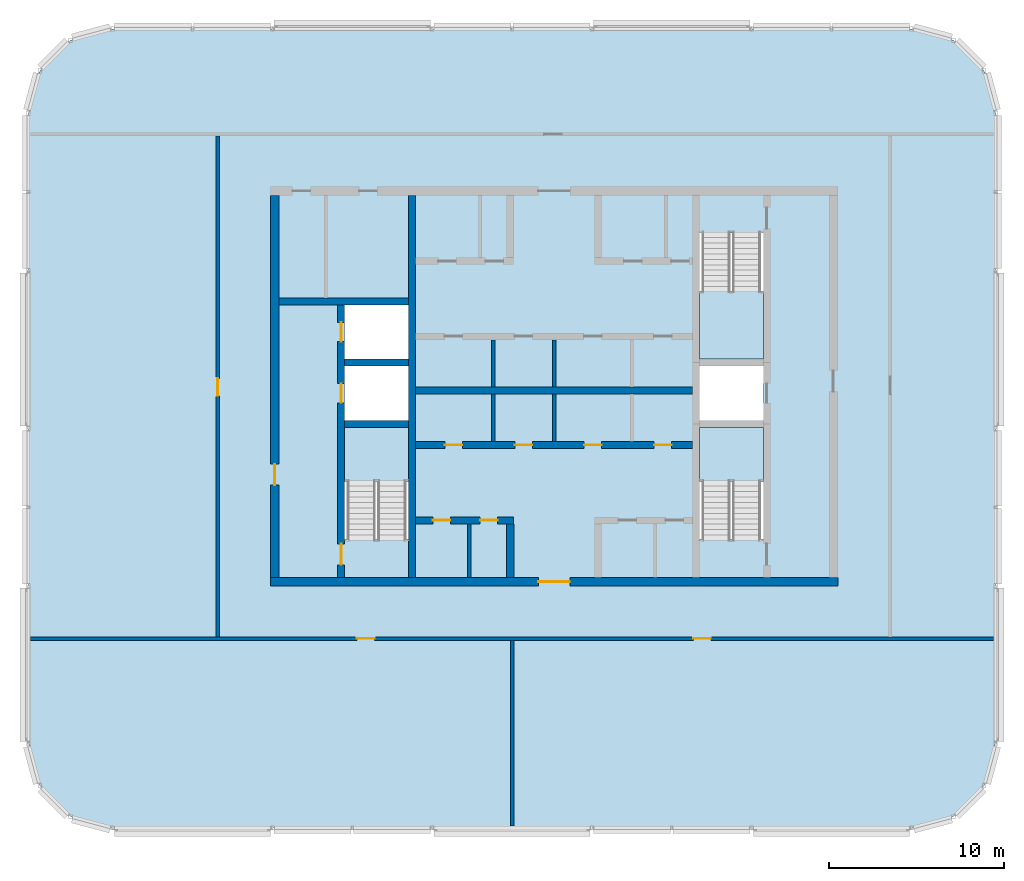
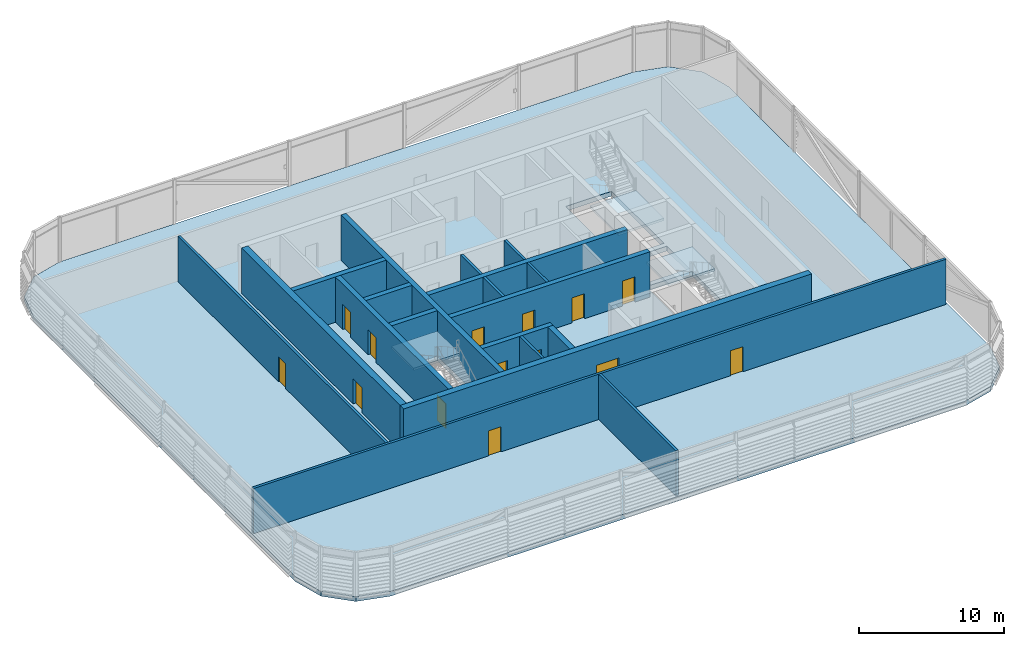
# One storey, part 15 of 28: 19 walls, 14 doors, 4 slabs, 14 openings, 3 elements without a shape of their own.
"""IFC4 building model written with IfcOpenShell, lengths in metres."""

from ifc_helpers import new_model, si_unit, direction, frame, frame_2d, origin, place, context, subcontext, project, spatial, polyline, rectangle, outline, extrude, material, layer, layer_set, type_object, element, fill, aggregate, save


model = new_model("IFC4")

# Units and contexts
model_context = context("Model", 3, precision=1e-05, world=origin(), true_north=direction((0.0, 1.0)))
body_context = subcontext(model_context, "Body", "Model", "MODEL_VIEW")
ifc_project = project(units=[si_unit("LENGTHUNIT", "METRE"), si_unit("AREAUNIT", "SQUARE_METRE"), si_unit("VOLUMEUNIT", "CUBIC_METRE"), si_unit("PLANEANGLEUNIT", "RADIAN"), si_unit("MASSUNIT", "GRAM", prefix="KILO")], contexts=[model_context])

# Site, building, storey
site_placement = place(None, origin())
site = spatial("IfcSite", under=ifc_project, at=site_placement, CompositionType="ELEMENT")
building_placement = place(site_placement, origin())
building = spatial("IfcBuilding", under=site, at=building_placement, Name="Madar Terraces", CompositionType="ELEMENT")
storey_placement = place(building_placement, frame((0.0, 0.0, 310.10009765625)))
storey = spatial("IfcBuildingStorey", under=building, at=storey_placement, Name="L80", CompositionType="ELEMENT", Elevation=310.10009765625)

# Slab
ifc_material_1 = material(Name="Concrete C50/60", Category="concrete")
ifc_layer_1 = layer(ifc_material_1, 0.39990234375)
ifc_layer_set_1 = layer_set([ifc_layer_1], Name="FS6 PT flat slab 400")
slab_type_1 = type_object("IfcSlabType", Name="FS6 PT flat slab 400", PredefinedType="FLOOR", material=ifc_layer_set_1)
slab_1_placement = place(storey_placement, frame((0.0, 0.0, -0.400146484375)))
element("IfcSlab", 1, at=slab_1_placement, inside=storey, type_object=slab_type_1, Name="Floor slab L80 (1)", PredefinedType="FLOOR", context=body_context, shape_type="SweptSolid", body=[
    extrude(outline(polyline([(51.60009765625, 1.199951171875), (54.0, 1.843017578125), (55.7568359375, 3.60009765625), (56.39990234375, 6.0), (56.39990234375, 42.0), (55.7568359375, 44.39990234375), (54.0, 46.156982421875), (51.60009765625, 46.800048828125), (6.0, 46.800048828125), (3.60009765625, 46.156982421875), (1.843017578125, 44.39990234375), (1.199951171875, 42.0), (1.199951171875, 6.0), (1.843017578125, 3.60009765625), (3.60009765625, 1.843017578125), (6.0, 1.199951171875), (51.60009765625, 1.199951171875)]), holes=[polyline([(22.89990234375, 24.050048828125), (22.89990234375, 17.64990234375), (19.25, 17.64990234375), (19.25, 24.050048828125), (22.89990234375, 24.050048828125)]), polyline([(43.14990234375, 17.64990234375), (39.5, 17.64990234375), (39.5, 24.050048828125), (43.14990234375, 24.050048828125), (43.14990234375, 17.64990234375)]), polyline([(22.89990234375, 24.449951171875), (19.25, 24.449951171875), (19.25, 27.550048828125), (22.89990234375, 27.550048828125), (22.89990234375, 24.449951171875)]), polyline([(43.14990234375, 27.550048828125), (43.14990234375, 24.449951171875), (39.5, 24.449951171875), (39.5, 27.550048828125), (43.14990234375, 27.550048828125)]), polyline([(22.89990234375, 27.949951171875), (19.25, 27.949951171875), (19.25, 31.050048828125), (22.89990234375, 31.050048828125), (22.89990234375, 27.949951171875)]), polyline([(43.14990234375, 27.949951171875), (39.5, 27.949951171875), (39.5, 35.14990234375), (43.14990234375, 35.14990234375), (43.14990234375, 27.949951171875)])]), origin(), (0.0, 0.0, 1.0), 0.400146484375),
])

# Stair, slab
ifc_material_2 = material(Name="Concrete C50/60", Category="concrete")
stair_type_1 = type_object("IfcStairType", Name="Stair ST1 protected exit", PredefinedType="HALF_TURN_STAIR", material=ifc_material_2)
stair_1_placement = place(storey_placement, origin())
stair_1 = element("IfcStair", 2, at=stair_1_placement, inside=storey, type_object=stair_type_1, Name="L80 Protected Exit Stair ST1", PredefinedType="HALF_TURN_STAIR")
ifc_material_3 = material(Name="Concrete C50/60", Category="concrete")
ifc_layer_2 = layer(ifc_material_3, 0.199951171875)
ifc_layer_set_2 = layer_set([ifc_layer_2], Name="Stair landing 200, top +2.10")
slab_type_2 = type_object("IfcSlabType", Name="Stair landing 200, top +2.10", PredefinedType="LANDING", material=ifc_layer_set_2)
slab_2_placement = place(storey_placement, frame((0.0, 0.0, 1.89990234375)))
slab_2 = element("IfcSlab", 3, at=slab_2_placement, type_object=slab_type_2, Name="ST1 landing 1", PredefinedType="LANDING", context=body_context, shape_type="SweptSolid", body=[
    extrude(outline(polyline([(19.25, 20.97998046875), (22.89990234375, 20.97998046875), (22.89990234375, 24.050048828125), (19.25, 24.050048828125), (19.25, 20.97998046875)])), origin(), (0.0, 0.0, 1.0), 0.199951171875),
])
aggregate(stair_1, [slab_2])

ifc_material_4 = material(Name="Concrete C50/60", Category="concrete")
stair_type_2 = type_object("IfcStairType", Name="Stair ST2 protected exit", PredefinedType="HALF_TURN_STAIR", material=ifc_material_4)
stair_2_placement = place(storey_placement, origin())
stair_2 = element("IfcStair", 4, at=stair_2_placement, inside=storey, type_object=stair_type_2, Name="L80 Protected Exit Stair ST2", PredefinedType="HALF_TURN_STAIR")
slab_3_placement = place(storey_placement, frame((0.0, 0.0, 1.89990234375)))
slab_3 = element("IfcSlab", 5, at=slab_3_placement, type_object=slab_type_2, Name="ST2 landing 1", PredefinedType="LANDING", context=body_context, shape_type="SweptSolid", body=[
    extrude(outline(polyline([(39.5, 27.949951171875), (43.14990234375, 27.949951171875), (43.14990234375, 31.820068359375), (39.5, 31.820068359375), (39.5, 27.949951171875)])), origin(), (0.0, 0.0, 1.0), 0.199951171875),
])
aggregate(stair_2, [slab_3])

ifc_material_5 = material(Name="Concrete C50/60", Category="concrete")
stair_type_3 = type_object("IfcStairType", Name="Stair ST3 protected exit", PredefinedType="HALF_TURN_STAIR", material=ifc_material_5)
stair_3_placement = place(storey_placement, origin())
stair_3 = element("IfcStair", 6, at=stair_3_placement, inside=storey, type_object=stair_type_3, Name="L80 Protected Exit Stair ST3", PredefinedType="HALF_TURN_STAIR")
slab_4_placement = place(storey_placement, frame((0.0, 0.0, 1.89990234375)))
slab_4 = element("IfcSlab", 7, at=slab_4_placement, type_object=slab_type_2, Name="ST3 landing 1", PredefinedType="LANDING", context=body_context, shape_type="SweptSolid", body=[
    extrude(outline(polyline([(39.5, 20.97998046875), (43.14990234375, 20.97998046875), (43.14990234375, 24.050048828125), (39.5, 24.050048828125), (39.5, 20.97998046875)])), origin(), (0.0, 0.0, 1.0), 0.199951171875),
])
aggregate(stair_3, [slab_4])

# Wall, openings, doors
ifc_material_6 = material(Name="Concrete C50/60", Category="concrete")
ifc_layer_3 = layer(ifc_material_6, 0.39990234375)
ifc_layer_set_3 = layer_set([ifc_layer_3], Name="Concrete C50/60 (CIW6 RC wall 400)")
wall_type_1 = type_object("IfcWallType", Name="CIW6 RC wall 400", PredefinedType="SHEAR", material=ifc_layer_set_3)
wall_1_placement = place(storey_placement, frame((19.050048828125, 15.5, 0.0), z_axis=(0.0, 0.0, 1.0), x_axis=(0.0, 1.0, 0.0)))
wall_1 = element("IfcWall", 8, at=wall_1_placement, inside=storey, type_object=wall_type_1, Name="CORE SHAFT WALL", PredefinedType="SHEAR", context=body_context, shape_type="SweptSolid", body=[
    extrude(rectangle(XDim=15.550048828125, YDim=0.39990234375, at=frame_2d((7.77490234375, 0.0))), origin(), (0.0, 0.0, 1.0), 3.7998046875),
])
opening_1_placement = place(wall_1_placement, frame((9.949951171875, 0.0, 0.0)))
opening_1 = element("IfcOpeningElement", 9, at=opening_1_placement, cuts=wall_1, Name="Opening LD", PredefinedType="OPENING", context=body_context, shape_type="SweptSolid", body=[
    extrude(rectangle(XDim=1.10009765625, YDim=2.10009765625, at=frame_2d((0.550048828125, 1.050048828125))), frame((0.0, 0.2099609375, 0.0), z_axis=(0.0, -1.0, 0.0), x_axis=(1.0, 0.0, 0.0)), (0.0, 0.0, 1.0), 0.419921875),
])
opening_2_placement = place(wall_1_placement, frame((13.449951171875, 0.0, 0.0)))
opening_2 = element("IfcOpeningElement", 10, at=opening_2_placement, cuts=wall_1, Name="Opening LD", PredefinedType="OPENING", context=body_context, shape_type="SweptSolid", body=[
    extrude(rectangle(XDim=1.10009765625, YDim=2.10009765625, at=frame_2d((0.550048828125, 1.050048828125))), frame((0.0, 0.2099609375, 0.0), z_axis=(0.0, -1.0, 0.0), x_axis=(1.0, 0.0, 0.0)), (0.0, 0.0, 1.0), 0.419921875),
])
opening_3_placement = place(wall_1_placement, frame((0.699951171875, 0.0, 0.0)))
opening_3 = element("IfcOpeningElement", 11, at=opening_3_placement, cuts=wall_1, Name="Opening SD1", PredefinedType="OPENING", context=body_context, shape_type="SweptSolid", body=[
    extrude(rectangle(XDim=1.199951171875, YDim=2.10009765625, at=frame_2d((0.60009765625, 1.050048828125))), frame((0.0, 0.2099609375, 0.0), z_axis=(0.0, -1.0, 0.0), x_axis=(1.0, 0.0, 0.0)), (0.0, 0.0, 1.0), 0.419921875),
])
ifc_material_7 = material(Name="Stainless steel panel", Category="steel")
door_type_1 = type_object("IfcDoorType", Name="Lift landing door 1100 x 2100", OperationType="DOUBLE_DOOR_SLIDING", PredefinedType="DOOR", material=ifc_material_7)
door_1_placement = place(opening_1_placement, origin())
door_1 = element("IfcDoor", 12, at=door_1_placement, inside=storey, type_object=door_type_1, Name="LIFT LANDING DOOR", OperationType="DOUBLE_DOOR_SLIDING", OverallHeight=2.10009765625, OverallWidth=1.10009765625, PredefinedType="DOOR", context=body_context, shape_type="SweptSolid", body=[
    extrude(rectangle(XDim=1.10009765625, YDim=2.10009765625, at=frame_2d((0.550048828125, 1.050048828125))), frame((0.0, 0.02490234375, 0.0), z_axis=(0.0, -1.0, 0.0), x_axis=(1.0, 0.0, 0.0)), (0.0, 0.0, 1.0), 0.050048828125),
])
fill(opening_1, door_1)
door_2_placement = place(opening_2_placement, origin())
door_2 = element("IfcDoor", 13, at=door_2_placement, inside=storey, type_object=door_type_1, Name="LIFT LANDING DOOR", OperationType="DOUBLE_DOOR_SLIDING", OverallHeight=2.10009765625, OverallWidth=1.10009765625, PredefinedType="DOOR", context=body_context, shape_type="SweptSolid", body=[
    extrude(rectangle(XDim=1.10009765625, YDim=2.10009765625, at=frame_2d((0.550048828125, 1.050048828125))), frame((0.0, 0.02490234375, 0.0), z_axis=(0.0, -1.0, 0.0), x_axis=(1.0, 0.0, 0.0)), (0.0, 0.0, 1.0), 0.050048828125),
])
fill(opening_2, door_2)
ifc_material_8 = material(Name="Steel door leaf", Category="steel")
door_type_2 = type_object("IfcDoorType", Name="Stair door 1200 x 2100", OperationType="NOTDEFINED", PredefinedType="DOOR", material=ifc_material_8)
door_3_placement = place(opening_3_placement, frame((1.199951171875, 0.0, 0.0), z_axis=(0.0, 0.0, 1.0), x_axis=(-1.0, 0.0, 0.0)))
door_3 = element("IfcDoor", 14, at=door_3_placement, inside=storey, type_object=door_type_2, Name="STAIR DOOR", OperationType="SINGLE_SWING_RIGHT", OverallHeight=2.10009765625, OverallWidth=1.199951171875, PredefinedType="DOOR", context=body_context, shape_type="SweptSolid", body=[
    extrude(rectangle(XDim=1.199951171875, YDim=2.10009765625, at=frame_2d((0.60009765625, 1.050048828125))), frame((0.0, 0.02490234375, 0.0), z_axis=(0.0, -1.0, 0.0), x_axis=(1.0, 0.0, 0.0)), (0.0, 0.0, 1.0), 0.050048828125),
])
fill(opening_3, door_3)

# Walls
wall_2_placement = place(storey_placement, frame((23.10009765625, 15.5, 0.0), z_axis=(0.0, 0.0, 1.0), x_axis=(0.0, 1.0, 0.0)))
element("IfcWall", 15, at=wall_2_placement, inside=storey, type_object=wall_type_1, Name="CORE SHAFT WALL", PredefinedType="SHEAR", context=body_context, shape_type="SweptSolid", body=[
    extrude(rectangle(XDim=21.800048828125, YDim=0.39990234375, at=frame_2d((10.89990234375, 0.0))), origin(), (0.0, 0.0, 1.0), 3.7998046875),
])
for number, where, z_axis, x_axis, name in (
    (16, (19.25, 24.25, 0.0), (0.0, 0.0, 1.0), (1.0, 0.0, 0.0), "CORE SHAFT WALL"),
    (17, (19.25, 27.75, 0.0), (0.0, 0.0, 1.0), (1.0, 0.0, 0.0), "CORE SHAFT WALL"),
):
    element("IfcWall", number, at=place(storey_placement, frame(where, z_axis=z_axis, x_axis=x_axis)), inside=storey, type_object=wall_type_1, Name=name, PredefinedType="SHEAR", context=body_context, shape_type="SweptSolid", body=[
        extrude(rectangle(XDim=3.64990234375, YDim=0.39990234375, at=frame_2d((1.824951171875, 0.0))), origin(), (0.0, 0.0, 1.0), 3.7998046875),
    ])
wall_3_placement = place(storey_placement, frame((15.5, 31.25, 0.0), z_axis=(0.0, 0.0, 1.0), x_axis=(1.0, 0.0, 0.0)))
element("IfcWall", 18, at=wall_3_placement, inside=storey, type_object=wall_type_1, Name="CORE SHAFT WALL", PredefinedType="SHEAR", context=body_context, shape_type="SweptSolid", body=[
    extrude(rectangle(XDim=7.39990234375, YDim=0.39990234375, at=frame_2d((3.699951171875, 0.0))), origin(), (0.0, 0.0, 1.0), 3.7998046875),
])

# Wall, openings, doors
wall_4_placement = place(storey_placement, frame((23.300048828125, 18.75, 0.0), z_axis=(0.0, 0.0, 1.0), x_axis=(1.0, 0.0, 0.0)))
wall_4 = element("IfcWall", 19, at=wall_4_placement, inside=storey, type_object=wall_type_1, Name="CORE SHAFT WALL", PredefinedType="SHEAR", context=body_context, shape_type="SweptSolid", body=[
    extrude(rectangle(XDim=5.599853515625, YDim=0.39990234375, at=frame_2d((2.7998046875, 0.0))), origin(), (0.0, 0.0, 1.0), 3.7998046875),
])
opening_4_placement = place(wall_4_placement, frame((0.98388671875, 0.0, 0.0)))
opening_4 = element("IfcOpeningElement", 20, at=opening_4_placement, cuts=wall_4, Name="Opening KD2", PredefinedType="OPENING", context=body_context, shape_type="SweptSolid", body=[
    extrude(rectangle(XDim=1.0, YDim=2.10009765625, at=frame_2d((0.5, 1.050048828125))), frame((0.0, 0.2099609375, 0.0), z_axis=(0.0, -1.0, 0.0), x_axis=(1.0, 0.0, 0.0)), (0.0, 0.0, 1.0), 0.419921875),
])
opening_5_placement = place(wall_4_placement, frame((3.68408203125, 0.0, 0.0)))
opening_5 = element("IfcOpeningElement", 21, at=opening_5_placement, cuts=wall_4, Name="Opening KD2", PredefinedType="OPENING", context=body_context, shape_type="SweptSolid", body=[
    extrude(rectangle(XDim=1.0, YDim=2.10009765625, at=frame_2d((0.5, 1.050048828125))), frame((0.0, 0.2099609375, 0.0), z_axis=(0.0, -1.0, 0.0), x_axis=(1.0, 0.0, 0.0)), (0.0, 0.0, 1.0), 0.419921875),
])
ifc_material_9 = material(Name="Steel door leaf", Category="steel")
door_type_3 = type_object("IfcDoorType", Name="Service room door 1000 x 2100", OperationType="NOTDEFINED", PredefinedType="DOOR", material=ifc_material_9)
door_4_placement = place(opening_4_placement, origin())
door_4 = element("IfcDoor", 22, at=door_4_placement, inside=storey, type_object=door_type_3, Name="SERVICE ROOM DOOR", OperationType="SINGLE_SWING_LEFT", OverallHeight=2.10009765625, OverallWidth=1.0, PredefinedType="DOOR", context=body_context, shape_type="SweptSolid", body=[
    extrude(rectangle(XDim=1.0, YDim=2.10009765625, at=frame_2d((0.5, 1.050048828125))), frame((0.0, 0.02490234375, 0.0), z_axis=(0.0, -1.0, 0.0), x_axis=(1.0, 0.0, 0.0)), (0.0, 0.0, 1.0), 0.050048828125),
])
fill(opening_4, door_4)
door_5_placement = place(opening_5_placement, origin())
door_5 = element("IfcDoor", 23, at=door_5_placement, inside=storey, type_object=door_type_3, Name="SERVICE ROOM DOOR", OperationType="SINGLE_SWING_RIGHT", OverallHeight=2.10009765625, OverallWidth=1.0, PredefinedType="DOOR", context=body_context, shape_type="SweptSolid", body=[
    extrude(rectangle(XDim=1.0, YDim=2.10009765625, at=frame_2d((0.5, 1.050048828125))), frame((0.0, 0.02490234375, 0.0), z_axis=(0.0, -1.0, 0.0), x_axis=(1.0, 0.0, 0.0)), (0.0, 0.0, 1.0), 0.050048828125),
])
fill(opening_5, door_5)

wall_5_placement = place(storey_placement, frame((23.300048828125, 23.050048828125, 0.0), z_axis=(0.0, 0.0, 1.0), x_axis=(1.0, 0.0, 0.0)))
wall_5 = element("IfcWall", 24, at=wall_5_placement, inside=storey, type_object=wall_type_1, Name="CORE SHAFT WALL", PredefinedType="SHEAR", context=body_context, shape_type="SweptSolid", body=[
    extrude(rectangle(XDim=15.800048828125, YDim=0.39990234375, at=frame_2d((7.89990234375, 0.0))), origin(), (0.0, 0.0, 1.0), 3.7998046875),
])
opening_6_placement = place(wall_5_placement, frame((1.662109375, 0.0, 0.0)))
opening_6 = element("IfcOpeningElement", 25, at=opening_6_placement, cuts=wall_5, Name="Opening KD2", PredefinedType="OPENING", context=body_context, shape_type="SweptSolid", body=[
    extrude(rectangle(XDim=1.0, YDim=2.10009765625, at=frame_2d((0.5, 1.050048828125))), frame((0.0, 0.2099609375, 0.0), z_axis=(0.0, -1.0, 0.0), x_axis=(1.0, 0.0, 0.0)), (0.0, 0.0, 1.0), 0.419921875),
])
opening_7_placement = place(wall_5_placement, frame((5.662109375, 0.0, 0.0)))
opening_7 = element("IfcOpeningElement", 26, at=opening_7_placement, cuts=wall_5, Name="Opening KD2", PredefinedType="OPENING", context=body_context, shape_type="SweptSolid", body=[
    extrude(rectangle(XDim=1.0, YDim=2.10009765625, at=frame_2d((0.5, 1.050048828125))), frame((0.0, 0.2099609375, 0.0), z_axis=(0.0, -1.0, 0.0), x_axis=(1.0, 0.0, 0.0)), (0.0, 0.0, 1.0), 0.419921875),
])
opening_8_placement = place(wall_5_placement, frame((9.612060546875, 0.0, 0.0)))
opening_8 = element("IfcOpeningElement", 27, at=opening_8_placement, cuts=wall_5, Name="Opening KD2", PredefinedType="OPENING", context=body_context, shape_type="SweptSolid", body=[
    extrude(rectangle(XDim=1.0, YDim=2.10009765625, at=frame_2d((0.5, 1.050048828125))), frame((0.0, 0.2099609375, 0.0), z_axis=(0.0, -1.0, 0.0), x_axis=(1.0, 0.0, 0.0)), (0.0, 0.0, 1.0), 0.419921875),
])
opening_9_placement = place(wall_5_placement, frame((13.612060546875, 0.0, 0.0)))
opening_9 = element("IfcOpeningElement", 28, at=opening_9_placement, cuts=wall_5, Name="Opening KD2", PredefinedType="OPENING", context=body_context, shape_type="SweptSolid", body=[
    extrude(rectangle(XDim=1.0, YDim=2.10009765625, at=frame_2d((0.5, 1.050048828125))), frame((0.0, 0.2099609375, 0.0), z_axis=(0.0, -1.0, 0.0), x_axis=(1.0, 0.0, 0.0)), (0.0, 0.0, 1.0), 0.419921875),
])
door_6_placement = place(opening_6_placement, frame((1.0, 0.0, 0.0), z_axis=(0.0, 0.0, 1.0), x_axis=(-1.0, 0.0, 0.0)))
door_6 = element("IfcDoor", 29, at=door_6_placement, inside=storey, type_object=door_type_3, Name="SERVICE ROOM DOOR", OperationType="SINGLE_SWING_LEFT", OverallHeight=2.10009765625, OverallWidth=1.0, PredefinedType="DOOR", context=body_context, shape_type="SweptSolid", body=[
    extrude(rectangle(XDim=1.0, YDim=2.10009765625, at=frame_2d((0.5, 1.050048828125))), frame((0.0, 0.02490234375, 0.0), z_axis=(0.0, -1.0, 0.0), x_axis=(1.0, 0.0, 0.0)), (0.0, 0.0, 1.0), 0.050048828125),
])
fill(opening_6, door_6)
door_7_placement = place(opening_7_placement, frame((1.0, 0.0, 0.0), z_axis=(0.0, 0.0, 1.0), x_axis=(-1.0, 0.0, 0.0)))
door_7 = element("IfcDoor", 30, at=door_7_placement, inside=storey, type_object=door_type_3, Name="SERVICE ROOM DOOR", OperationType="SINGLE_SWING_RIGHT", OverallHeight=2.10009765625, OverallWidth=1.0, PredefinedType="DOOR", context=body_context, shape_type="SweptSolid", body=[
    extrude(rectangle(XDim=1.0, YDim=2.10009765625, at=frame_2d((0.5, 1.050048828125))), frame((0.0, 0.02490234375, 0.0), z_axis=(0.0, -1.0, 0.0), x_axis=(1.0, 0.0, 0.0)), (0.0, 0.0, 1.0), 0.050048828125),
])
fill(opening_7, door_7)
door_8_placement = place(opening_8_placement, frame((1.0, 0.0, 0.0), z_axis=(0.0, 0.0, 1.0), x_axis=(-1.0, 0.0, 0.0)))
door_8 = element("IfcDoor", 31, at=door_8_placement, inside=storey, type_object=door_type_3, Name="SERVICE ROOM DOOR", OperationType="SINGLE_SWING_LEFT", OverallHeight=2.10009765625, OverallWidth=1.0, PredefinedType="DOOR", context=body_context, shape_type="SweptSolid", body=[
    extrude(rectangle(XDim=1.0, YDim=2.10009765625, at=frame_2d((0.5, 1.050048828125))), frame((0.0, 0.02490234375, 0.0), z_axis=(0.0, -1.0, 0.0), x_axis=(1.0, 0.0, 0.0)), (0.0, 0.0, 1.0), 0.050048828125),
])
fill(opening_8, door_8)
door_9_placement = place(opening_9_placement, frame((1.0, 0.0, 0.0), z_axis=(0.0, 0.0, 1.0), x_axis=(-1.0, 0.0, 0.0)))
door_9 = element("IfcDoor", 32, at=door_9_placement, inside=storey, type_object=door_type_3, Name="SERVICE ROOM DOOR", OperationType="SINGLE_SWING_RIGHT", OverallHeight=2.10009765625, OverallWidth=1.0, PredefinedType="DOOR", context=body_context, shape_type="SweptSolid", body=[
    extrude(rectangle(XDim=1.0, YDim=2.10009765625, at=frame_2d((0.5, 1.050048828125))), frame((0.0, 0.02490234375, 0.0), z_axis=(0.0, -1.0, 0.0), x_axis=(1.0, 0.0, 0.0)), (0.0, 0.0, 1.0), 0.050048828125),
])
fill(opening_9, door_9)

# Walls
wall_6_placement = place(storey_placement, frame((23.300048828125, 26.14990234375, 0.0), z_axis=(0.0, 0.0, 1.0), x_axis=(1.0, 0.0, 0.0)))
element("IfcWall", 33, at=wall_6_placement, inside=storey, type_object=wall_type_1, Name="CORE SHAFT WALL", PredefinedType="SHEAR", context=body_context, shape_type="SweptSolid", body=[
    extrude(rectangle(XDim=15.800048828125, YDim=0.39990234375, at=frame_2d((7.89990234375, 0.0))), origin(), (0.0, 0.0, 1.0), 3.7998046875),
])
wall_7_placement = place(storey_placement, frame((28.699951171875, 15.5, 0.0), z_axis=(0.0, 0.0, 1.0), x_axis=(0.0, 1.0, 0.0)))
element("IfcWall", 34, at=wall_7_placement, inside=storey, type_object=wall_type_1, Name="CORE SHAFT WALL", PredefinedType="SHEAR", context=body_context, shape_type="SweptSolid", body=[
    extrude(rectangle(XDim=3.050048828125, YDim=0.39990234375, at=frame_2d((1.52490234375, 0.0))), origin(), (0.0, 0.0, 1.0), 3.7998046875),
])

# Wall, opening, door
ifc_material_10 = material(Name="Concrete C50/60", Category="concrete")
ifc_layer_4 = layer(ifc_material_10, 0.5)
ifc_layer_set_4 = layer_set([ifc_layer_4], Name="Concrete C50/60 (CRW6 RC wall 500)")
wall_type_2 = type_object("IfcWallType", Name="CRW6 RC wall 500", PredefinedType="SHEAR", material=ifc_layer_set_4)
wall_8_placement = place(storey_placement, frame((15.0, 15.25, 0.0), z_axis=(0.0, 0.0, 1.0), x_axis=(1.0, 0.0, 0.0)))
wall_8 = element("IfcWall", 35, at=wall_8_placement, inside=storey, type_object=wall_type_2, Name="CORE OUTER WALL", PredefinedType="SHEAR", context=body_context, shape_type="SweptSolid", body=[
    extrude(rectangle(XDim=32.39990234375, YDim=0.5, at=frame_2d((16.199951171875, 0.0))), origin(), (0.0, 0.0, 1.0), 3.7998046875),
])
opening_10_placement = place(wall_8_placement, frame((15.300048828125, 0.0, 0.0)))
opening_10 = element("IfcOpeningElement", 36, at=opening_10_placement, cuts=wall_8, Name="Opening KD1", PredefinedType="OPENING", context=body_context, shape_type="SweptSolid", body=[
    extrude(rectangle(XDim=1.800048828125, YDim=2.10009765625, at=frame_2d((0.89990234375, 1.050048828125))), frame((0.0, 0.260009765625, 0.0), z_axis=(0.0, -1.0, 0.0), x_axis=(1.0, 0.0, 0.0)), (0.0, 0.0, 1.0), 0.52001953125),
])
ifc_material_11 = material(Name="Steel door leaf", Category="steel")
door_type_4 = type_object("IfcDoorType", Name="Lobby door pair 1800 x 2100", OperationType="DOUBLE_DOOR_SINGLE_SWING", PredefinedType="DOOR", material=ifc_material_11)
door_10_placement = place(opening_10_placement, frame((1.800048828125, 0.0, 0.0), z_axis=(0.0, 0.0, 1.0), x_axis=(-1.0, 0.0, 0.0)))
door_10 = element("IfcDoor", 37, at=door_10_placement, inside=storey, type_object=door_type_4, Name="LIFT LOBBY DOOR", OperationType="DOUBLE_DOOR_SINGLE_SWING", OverallHeight=2.10009765625, OverallWidth=1.800048828125, PredefinedType="DOOR", context=body_context, shape_type="SweptSolid", body=[
    extrude(rectangle(XDim=1.800048828125, YDim=2.10009765625, at=frame_2d((0.89990234375, 1.050048828125))), frame((0.0, 0.02490234375, 0.0), z_axis=(0.0, -1.0, 0.0), x_axis=(1.0, 0.0, 0.0)), (0.0, 0.0, 1.0), 0.050048828125),
])
fill(opening_10, door_10)

wall_9_placement = place(storey_placement, frame((15.25, 15.5, 0.0), z_axis=(0.0, 0.0, 1.0), x_axis=(0.0, 1.0, 0.0)))
wall_9 = element("IfcWall", 38, at=wall_9_placement, inside=storey, type_object=wall_type_2, Name="CORE OUTER WALL", PredefinedType="SHEAR", context=body_context, shape_type="SweptSolid", body=[
    extrude(rectangle(XDim=21.800048828125, YDim=0.5, at=frame_2d((10.89990234375, 0.0))), origin(), (0.0, 0.0, 1.0), 3.7998046875),
])
opening_11_placement = place(wall_9_placement, frame((5.260009765625, 0.0, 0.0)))
opening_11 = element("IfcOpeningElement", 39, at=opening_11_placement, cuts=wall_9, Name="Opening SD1", PredefinedType="OPENING", context=body_context, shape_type="SweptSolid", body=[
    extrude(rectangle(XDim=1.199951171875, YDim=2.10009765625, at=frame_2d((0.60009765625, 1.050048828125))), frame((0.0, 0.260009765625, 0.0), z_axis=(0.0, -1.0, 0.0), x_axis=(1.0, 0.0, 0.0)), (0.0, 0.0, 1.0), 0.52001953125),
])
door_11_placement = place(opening_11_placement, frame((1.199951171875, 0.0, 0.0), z_axis=(0.0, 0.0, 1.0), x_axis=(-1.0, 0.0, 0.0)))
door_11 = element("IfcDoor", 40, at=door_11_placement, inside=storey, type_object=door_type_2, Name="STAIR DOOR", OperationType="SINGLE_SWING_LEFT", OverallHeight=2.10009765625, OverallWidth=1.199951171875, PredefinedType="DOOR", context=body_context, shape_type="SweptSolid", body=[
    extrude(rectangle(XDim=1.199951171875, YDim=2.10009765625, at=frame_2d((0.60009765625, 1.050048828125))), frame((0.0, 0.02490234375, 0.0), z_axis=(0.0, -1.0, 0.0), x_axis=(1.0, 0.0, 0.0)), (0.0, 0.0, 1.0), 0.050048828125),
])
fill(opening_11, door_11)

# Walls
ifc_material_12 = material(Name="Masonry blockwork", Category="masonry")
ifc_layer_5 = layer(ifc_material_12, 0.199951171875)
ifc_layer_set_5 = layer_set([ifc_layer_5], Name="Core partition 200 blockwork")
wall_type_3 = type_object("IfcWallType", Name="Core partition 200 blockwork", PredefinedType="PARTITIONING", material=ifc_layer_set_5)
for number, where, z_axis, x_axis, name in (
    (41, (27.72412109375, 23.25, 0.0), (0.0, 0.0, 1.0), (0.0, 1.0, 0.0), "SERVICE ROOM PARTITION"),
    (42, (31.199951171875, 23.25, 0.0), (0.0, 0.0, 1.0), (0.0, 1.0, 0.0), "SERVICE ROOM PARTITION"),
    (43, (27.72412109375, 26.35009765625, 0.0), (0.0, 0.0, 1.0), (0.0, 1.0, 0.0), "SERVICE ROOM PARTITION"),
    (44, (31.199951171875, 26.35009765625, 0.0), (0.0, 0.0, 1.0), (0.0, 1.0, 0.0), "SERVICE ROOM PARTITION"),
):
    element("IfcWall", number, at=place(storey_placement, frame(where, z_axis=z_axis, x_axis=x_axis)), inside=storey, type_object=wall_type_3, Name=name, PredefinedType="PARTITIONING", context=body_context, shape_type="SweptSolid", body=[
        extrude(rectangle(XDim=2.699951171875, YDim=0.199951171875, at=frame_2d((1.35009765625, 0.0))), origin(), (0.0, 0.0, 1.0), 3.7998046875),
    ])
wall_10_placement = place(storey_placement, frame((26.367919921875, 15.5, 0.0), z_axis=(0.0, 0.0, 1.0), x_axis=(0.0, 1.0, 0.0)))
element("IfcWall", 45, at=wall_10_placement, inside=storey, type_object=wall_type_3, Name="SERVICE ROOM PARTITION", PredefinedType="PARTITIONING", context=body_context, shape_type="SweptSolid", body=[
    extrude(rectangle(XDim=3.050048828125, YDim=0.199951171875, at=frame_2d((1.52490234375, 0.0))), origin(), (0.0, 0.0, 1.0), 3.7998046875),
])

# Wall, openings, doors
ifc_material_13 = material(Name="Blockwork", Category="masonry")
ifc_layer_6 = layer(ifc_material_13, 0.199951171875)
ifc_layer_set_6 = layer_set([ifc_layer_6], Name="Partition 200 EI 120")
wall_type_4 = type_object("IfcWallType", Name="Partition 200 EI 120", PredefinedType="PARTITIONING", material=ifc_layer_set_6)
wall_11_placement = place(storey_placement, frame((56.300048828125, 12.0, 0.0), z_axis=(0.0, 0.0, 1.0), x_axis=(-1.0, 0.0, 0.0)))
wall_11 = element("IfcWall", 46, at=wall_11_placement, inside=storey, type_object=wall_type_4, Name="Wall ELECTRICAL PLANT ROOM + VENTILATION PLANT ROOM", PredefinedType="PARTITIONING", context=body_context, shape_type="SweptSolid", body=[
    extrude(rectangle(XDim=55.0, YDim=0.199951171875, at=frame_2d((27.5, 0.0))), origin(), (0.0, 0.0, 1.0), 3.7998046875),
])
opening_12_placement = place(wall_11_placement, frame((35.35009765625, 0.0, 0.0)))
opening_12 = element("IfcOpeningElement", 47, at=opening_12_placement, cuts=wall_11, Name="Opening D33", PredefinedType="OPENING", context=body_context, shape_type="SweptSolid", body=[
    extrude(rectangle(XDim=1.0, YDim=2.10009765625, at=frame_2d((0.5, 1.050048828125))), frame((0.0, 0.10986328125, 0.0), z_axis=(0.0, -1.0, 0.0), x_axis=(1.0, 0.0, 0.0)), (0.0, 0.0, 1.0), 0.219970703125),
])
opening_13_placement = place(wall_11_placement, frame((16.14990234375, 0.0, 0.0)))
opening_13 = element("IfcOpeningElement", 48, at=opening_13_placement, cuts=wall_11, Name="Opening D33", PredefinedType="OPENING", context=body_context, shape_type="SweptSolid", body=[
    extrude(rectangle(XDim=1.0, YDim=2.10009765625, at=frame_2d((0.5, 1.050048828125))), frame((0.0, 0.10986328125, 0.0), z_axis=(0.0, -1.0, 0.0), x_axis=(1.0, 0.0, 0.0)), (0.0, 0.0, 1.0), 0.219970703125),
])
ifc_material_14 = material(Name="Timber door leaf, fire-rated", Category="wood")
door_type_5 = type_object("IfcDoorType", Name="Podium door 1000 x 2100 FD90S", OperationType="NOTDEFINED", PredefinedType="DOOR", material=ifc_material_14)
door_12_placement = place(opening_12_placement, origin())
door_12 = element("IfcDoor", 49, at=door_12_placement, inside=storey, type_object=door_type_5, Name="Door VENTILATION PLANT ROOM / RING CORRIDOR", OperationType="SINGLE_SWING_LEFT", OverallHeight=2.10009765625, OverallWidth=1.0, PredefinedType="DOOR", context=body_context, shape_type="SweptSolid", body=[
    extrude(rectangle(XDim=1.0, YDim=2.10009765625, at=frame_2d((0.5, 1.050048828125))), frame((0.0, 0.02490234375, 0.0), z_axis=(0.0, -1.0, 0.0), x_axis=(1.0, 0.0, 0.0)), (0.0, 0.0, 1.0), 0.050048828125),
])
fill(opening_12, door_12)
door_13_placement = place(opening_13_placement, origin())
door_13 = element("IfcDoor", 50, at=door_13_placement, inside=storey, type_object=door_type_5, Name="Door ELECTRICAL PLANT ROOM / RING CORRIDOR", OperationType="SINGLE_SWING_LEFT", OverallHeight=2.10009765625, OverallWidth=1.0, PredefinedType="DOOR", context=body_context, shape_type="SweptSolid", body=[
    extrude(rectangle(XDim=1.0, YDim=2.10009765625, at=frame_2d((0.5, 1.050048828125))), frame((0.0, 0.02490234375, 0.0), z_axis=(0.0, -1.0, 0.0), x_axis=(1.0, 0.0, 0.0)), (0.0, 0.0, 1.0), 0.050048828125),
])
fill(opening_13, door_13)

# Wall, opening, door
wall_12_placement = place(storey_placement, frame((12.0, 12.10009765625, 0.0), z_axis=(0.0, 0.0, 1.0), x_axis=(0.0, 1.0, 0.0)))
wall_12 = element("IfcWall", 51, at=wall_12_placement, inside=storey, type_object=wall_type_4, Name="Wall STORE PLANT ROOM / RING CORRIDOR", PredefinedType="PARTITIONING", context=body_context, shape_type="SweptSolid", body=[
    extrude(rectangle(XDim=28.599853515625, YDim=0.199951171875, at=frame_2d((14.2998046875, 0.0))), origin(), (0.0, 0.0, 1.0), 3.7998046875),
])
opening_14_placement = place(wall_12_placement, frame((13.75, 0.0, 0.0)))
opening_14 = element("IfcOpeningElement", 52, at=opening_14_placement, cuts=wall_12, Name="Opening D33", PredefinedType="OPENING", context=body_context, shape_type="SweptSolid", body=[
    extrude(rectangle(XDim=1.0, YDim=2.10009765625, at=frame_2d((0.5, 1.050048828125))), frame((0.0, 0.10986328125, 0.0), z_axis=(0.0, -1.0, 0.0), x_axis=(1.0, 0.0, 0.0)), (0.0, 0.0, 1.0), 0.219970703125),
])
door_14_placement = place(opening_14_placement, origin())
door_14 = element("IfcDoor", 53, at=door_14_placement, inside=storey, type_object=door_type_5, Name="Door STORE PLANT ROOM / RING CORRIDOR", OperationType="SINGLE_SWING_LEFT", OverallHeight=2.10009765625, OverallWidth=1.0, PredefinedType="DOOR", context=body_context, shape_type="SweptSolid", body=[
    extrude(rectangle(XDim=1.0, YDim=2.10009765625, at=frame_2d((0.5, 1.050048828125))), frame((0.0, 0.02490234375, 0.0), z_axis=(0.0, -1.0, 0.0), x_axis=(1.0, 0.0, 0.0)), (0.0, 0.0, 1.0), 0.050048828125),
])
fill(opening_14, door_14)

# Wall
wall_13_placement = place(storey_placement, frame((28.800048828125, 1.300048828125, 0.0), z_axis=(0.0, 0.0, 1.0), x_axis=(0.0, 1.0, 0.0)))
element("IfcWall", 54, at=wall_13_placement, inside=storey, type_object=wall_type_4, Name="Wall VENTILATION PLANT ROOM / ELECTRICAL PLANT ROOM", PredefinedType="PARTITIONING", context=body_context, shape_type="SweptSolid", body=[
    extrude(rectangle(XDim=10.599853515625, YDim=0.199951171875, at=frame_2d((5.2998046875, 0.0))), origin(), (0.0, 0.0, 1.0), 3.7998046875),
])

save(model, "model.ifc")
